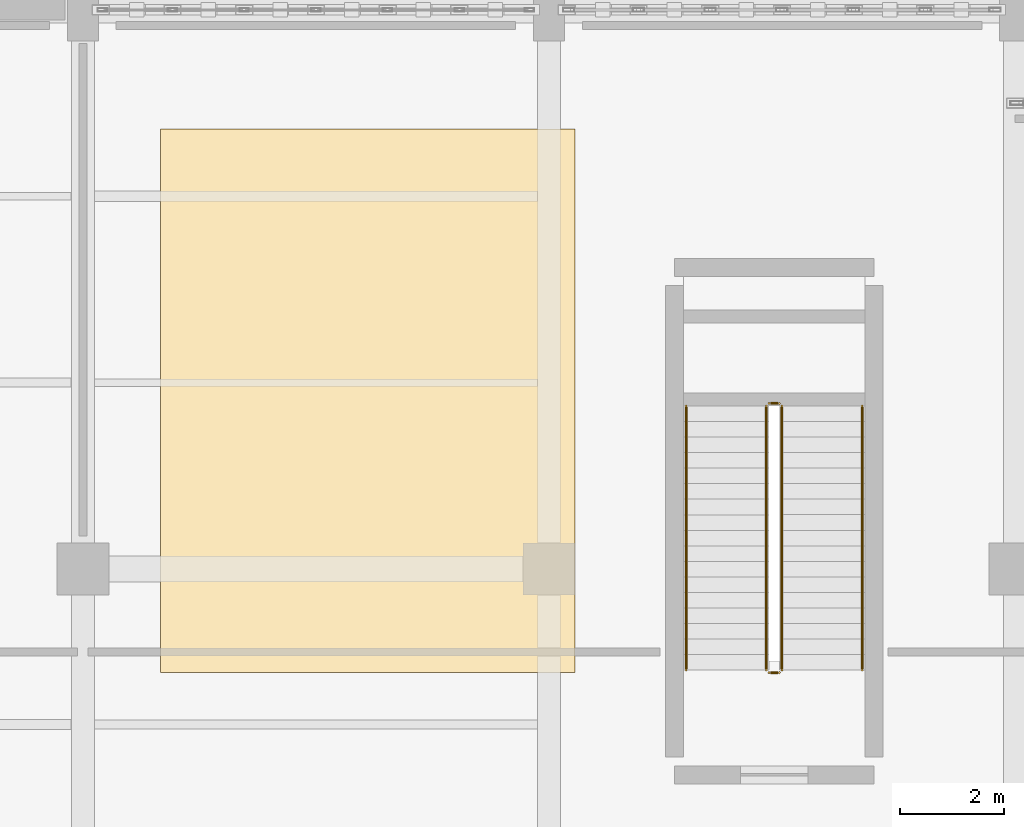
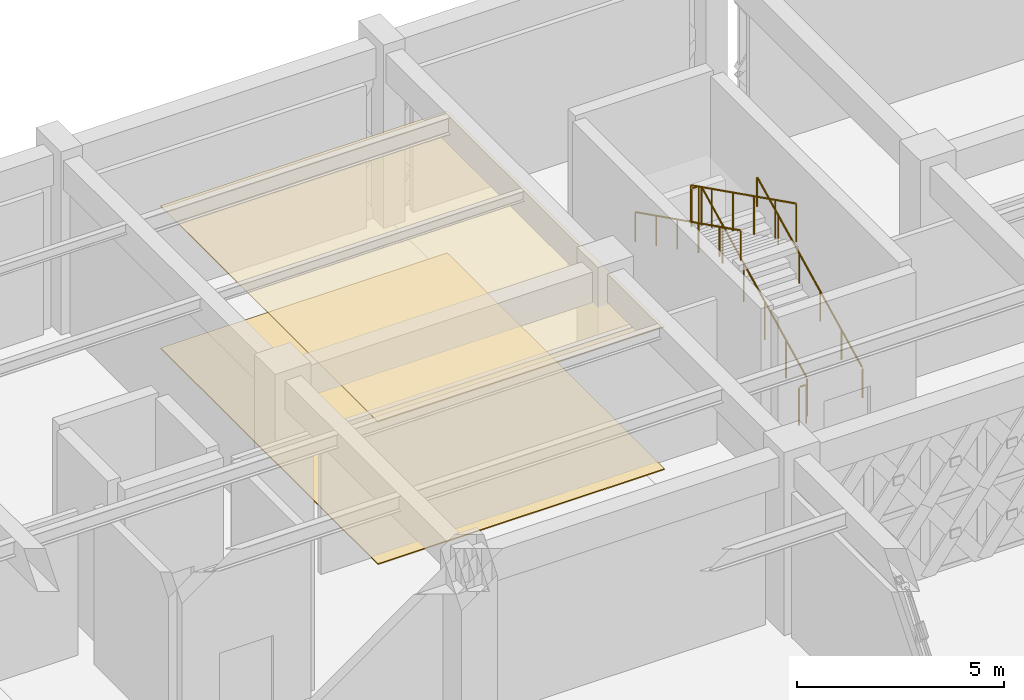
# One storey, part 135 of 140: 6 railings, 2 coverings.
"""IFC4 building model written with IfcOpenShell, lengths in metres."""

from ifc_helpers import new_model, si_unit, direction, frame, origin, origin_2d, place, context, subcontext, project, spatial, polyline, circle, outline, extrude, material, layer, layer_set, type_object, element, save


model = new_model("IFC4")

# Units and contexts
model_context = context("Model", 3, precision=1e-05, world=origin(), true_north=direction((0.0, 1.0)))
body_context = subcontext(model_context, "Body", "Model", "MODEL_VIEW")
ifc_project = project(units=[si_unit("LENGTHUNIT", "METRE"), si_unit("AREAUNIT", "SQUARE_METRE"), si_unit("VOLUMEUNIT", "CUBIC_METRE"), si_unit("PLANEANGLEUNIT", "RADIAN"), si_unit("MASSUNIT", "GRAM", prefix="KILO")], contexts=[model_context])

# Site, building, storey
site_placement = place(None, origin())
site = spatial("IfcSite", under=ifc_project, at=site_placement, CompositionType="ELEMENT")
building_placement = place(site_placement, origin())
building = spatial("IfcBuilding", under=site, at=building_placement, Name="Haizhuo Lancet Aquarium", CompositionType="ELEMENT")
storey_placement = place(building_placement, origin())
storey = spatial("IfcBuildingStorey", under=building, at=storey_placement, Name="L00", CompositionType="ELEMENT", Elevation=0.0)

# Coverings
ifc_material_1 = material(Name="Acoustic Mineral Fibre Board")
ifc_layer_1 = layer(ifc_material_1, 0.02490234375)
ifc_layer_set_1 = layer_set([ifc_layer_1], Name="Acoustic Mineral Fibre Board")
covering_type_1 = type_object("IfcCoveringType", Name="COV-CLG-ACU", PredefinedType="CEILING", material=ifc_layer_set_1)
covering_1_placement = place(storey_placement, frame((0.0, 0.0, 4.195068359375)))
element("IfcCovering", 1, at=covering_1_placement, inside=storey, type_object=covering_type_1, Name="L00 V5 acoustic suspended ceiling 4", PredefinedType="CEILING", context=body_context, shape_type="SweptSolid", body=[
    extrude(outline(polyline([(1.5, 43.0), (9.5, 43.0), (9.5, 53.5), (1.5, 53.5), (1.5, 43.0)])), origin(), (0.0, 0.0, 1.0), 0.02490234375),
])
ifc_material_2 = material(Name="Shandong Grey Limestone Ashlar", Category="masonry")
ifc_layer_2 = layer(ifc_material_2, 0.030029296875)
ifc_layer_set_2 = layer_set([ifc_layer_2], Name="Shandong Grey Limestone Ashlar")
covering_type_2 = type_object("IfcCoveringType", Name="COV-FLR-STN", PredefinedType="FLOORING", material=ifc_layer_set_2)
covering_2_placement = place(storey_placement, origin())
element("IfcCovering", 2, at=covering_2_placement, inside=storey, type_object=covering_type_2, Name="L00 V5 limestone floor finish 4", PredefinedType="FLOORING", context=body_context, shape_type="SweptSolid", body=[
    extrude(outline(polyline([(1.5, 43.0), (9.5, 43.0), (9.5, 53.5), (1.5, 53.5), (1.5, 43.0)])), origin(), (0.0, 0.0, 1.0), 0.030029296875),
])

# Railings
ifc_material_3 = material(Name="Steel S355", Category="steel")
railing_type_1 = type_object("IfcRailingType", Name="RL-GRD-1150", PredefinedType="GUARDRAIL", material=ifc_material_3)
railing_1_placement = place(storey_placement, frame((13.5, 43.050048828125, 0.14990234375)))
element("IfcRailing", 3, at=railing_1_placement, inside=storey, type_object=railing_type_1, Name="L00 ST-08 stair guard 1", PredefinedType="GUARDRAIL", context=body_context, shape_type="SweptSolid", body=[
    extrude(circle(Radius=0.02392578125, at=origin_2d()), frame((0.0, 0.02685546875, 1.13916015625), z_axis=(0.0, 0.894418627299, 0.447230722492), x_axis=(-1.0, 0.0, 0.0)), (0.0, 0.0, 1.0), 5.641845703125),
    extrude(circle(Radius=0.02099609375, at=origin_2d()), origin(), (0.0, 0.0, 1.0), 1.097900390625),
    extrude(circle(Radius=0.02099609375, at=origin_2d()), frame((0.0, 1.02001953125, 0.510009765625)), (0.0, 0.0, 1.0), 1.097900390625),
    extrude(circle(Radius=0.02099609375, at=origin_2d()), frame((0.0, 2.0400390625, 1.02001953125)), (0.0, 0.0, 1.0), 1.097900390625),
    extrude(circle(Radius=0.02099609375, at=origin_2d()), frame((0.0, 3.059814453125, 1.530029296875)), (0.0, 0.0, 1.0), 1.097900390625),
    extrude(circle(Radius=0.02099609375, at=origin_2d()), frame((0.0, 4.079833984375, 2.0400390625)), (0.0, 0.0, 1.0), 1.097900390625),
    extrude(circle(Radius=0.02099609375, at=origin_2d()), frame((0.0, 5.099853515625, 2.550048828125)), (0.0, 0.0, 1.0), 1.097900390625),
])
railing_2_placement = place(storey_placement, frame((13.449951171875, 48.199951171875, 2.699951171875)))
element("IfcRailing", 4, at=railing_2_placement, inside=storey, type_object=railing_type_1, Name="L00 ST-08 stair guard 2", PredefinedType="GUARDRAIL", context=body_context, shape_type="SweptSolid", body=[
    extrude(circle(Radius=0.02392578125, at=origin_2d()), frame((-0.030029296875, 0.0, 1.1259765625), z_axis=(-1.0, 0.0, 0.0), x_axis=(0.0, -1.0, 0.0)), (0.0, 0.0, 1.0), 0.139892578125),
    extrude(circle(Radius=0.02099609375, at=origin_2d()), origin(), (0.0, 0.0, 1.0), 1.097900390625),
    extrude(circle(Radius=0.02099609375, at=origin_2d()), frame((-0.199951171875, 0.0, 0.0)), (0.0, 0.0, 1.0), 1.097900390625),
])
railing_3_placement = place(storey_placement, frame((13.199951171875, 48.14990234375, 2.85009765625)))
element("IfcRailing", 5, at=railing_3_placement, inside=storey, type_object=railing_type_1, Name="L00 ST-08 stair guard 3", PredefinedType="GUARDRAIL", context=body_context, shape_type="SweptSolid", body=[
    extrude(circle(Radius=0.02392578125, at=origin_2d()), frame((0.0, -0.02685546875, 1.13916015625), z_axis=(0.0, -0.894435754537, 0.447196468016), x_axis=(1.0, 0.0, 0.0)), (0.0, 0.0, 1.0), 5.641845703125),
    extrude(circle(Radius=0.02099609375, at=origin_2d()), origin(), (0.0, 0.0, 1.0), 1.097900390625),
    extrude(circle(Radius=0.02099609375, at=origin_2d()), frame((0.0, -1.02001953125, 0.510009765625)), (0.0, 0.0, 1.0), 1.097900390625),
    extrude(circle(Radius=0.02099609375, at=origin_2d()), frame((0.0, -2.0400390625, 1.02001953125)), (0.0, 0.0, 1.0), 1.097900390625),
    extrude(circle(Radius=0.02099609375, at=origin_2d()), frame((0.0, -3.059814453125, 1.52978515625)), (0.0, 0.0, 1.0), 1.097900390625),
    extrude(circle(Radius=0.02099609375, at=origin_2d()), frame((0.0, -4.079833984375, 2.039794921875)), (0.0, 0.0, 1.0), 1.097900390625),
    extrude(circle(Radius=0.02099609375, at=origin_2d()), frame((0.0, -5.099853515625, 2.5498046875)), (0.0, 0.0, 1.0), 1.097900390625),
])
railing_4_placement = place(storey_placement, frame((13.449951171875, 43.0, 0.0)))
element("IfcRailing", 6, at=railing_4_placement, inside=storey, type_object=railing_type_1, Name="L00 ST-08 stair guard 4", PredefinedType="GUARDRAIL", context=body_context, shape_type="SweptSolid", body=[
    extrude(circle(Radius=0.02392578125, at=origin_2d()), frame((-0.030029296875, 0.0, 1.1259765625), z_axis=(-1.0, 0.0, 0.0), x_axis=(0.0, -1.0, 0.0)), (0.0, 0.0, 1.0), 0.139892578125),
    extrude(circle(Radius=0.02099609375, at=origin_2d()), origin(), (0.0, 0.0, 1.0), 1.097900390625),
    extrude(circle(Radius=0.02099609375, at=origin_2d()), frame((-0.199951171875, 0.0, 0.0)), (0.0, 0.0, 1.0), 1.097900390625),
])
railing_type_2 = type_object("IfcRailingType", Name="RL-HDR-900", PredefinedType="HANDRAIL", material=ifc_material_3)
railing_5_placement = place(storey_placement, frame((15.050048828125, 43.050048828125, 0.14990234375)))
element("IfcRailing", 7, at=railing_5_placement, inside=storey, type_object=railing_type_2, Name="L00 ST-08 pitch handrail 1", PredefinedType="HANDRAIL", context=body_context, shape_type="SweptSolid", body=[
    extrude(circle(Radius=0.02392578125, at=origin_2d()), frame((0.0, 0.02685546875, 0.88916015625), z_axis=(0.0, 0.894418627299, 0.447230722492), x_axis=(-1.0, 0.0, 0.0)), (0.0, 0.0, 1.0), 5.641845703125),
    extrude(circle(Radius=0.02099609375, at=origin_2d()), origin(), (0.0, 0.0, 1.0), 0.847900390625),
    extrude(circle(Radius=0.02099609375, at=origin_2d()), frame((0.0, 1.02001953125, 0.510009765625)), (0.0, 0.0, 1.0), 0.847900390625),
    extrude(circle(Radius=0.02099609375, at=origin_2d()), frame((0.0, 2.0400390625, 1.02001953125)), (0.0, 0.0, 1.0), 0.847900390625),
    extrude(circle(Radius=0.02099609375, at=origin_2d()), frame((0.0, 3.059814453125, 1.530029296875)), (0.0, 0.0, 1.0), 0.847900390625),
    extrude(circle(Radius=0.02099609375, at=origin_2d()), frame((0.0, 4.079833984375, 2.0400390625)), (0.0, 0.0, 1.0), 0.847900390625),
    extrude(circle(Radius=0.02099609375, at=origin_2d()), frame((0.0, 5.099853515625, 2.550048828125)), (0.0, 0.0, 1.0), 0.847900390625),
])
railing_6_placement = place(storey_placement, frame((11.64990234375, 48.14990234375, 2.85009765625)))
element("IfcRailing", 8, at=railing_6_placement, inside=storey, type_object=railing_type_2, Name="L00 ST-08 pitch handrail 2", PredefinedType="HANDRAIL", context=body_context, shape_type="SweptSolid", body=[
    extrude(circle(Radius=0.02392578125, at=origin_2d()), frame((0.0, -0.02685546875, 0.88916015625), z_axis=(0.0, -0.894435754537, 0.447196468016), x_axis=(1.0, 0.0, 0.0)), (0.0, 0.0, 1.0), 5.641845703125),
    extrude(circle(Radius=0.02099609375, at=origin_2d()), origin(), (0.0, 0.0, 1.0), 0.847900390625),
    extrude(circle(Radius=0.02099609375, at=origin_2d()), frame((0.0, -1.02001953125, 0.510009765625)), (0.0, 0.0, 1.0), 0.847900390625),
    extrude(circle(Radius=0.02099609375, at=origin_2d()), frame((0.0, -2.0400390625, 1.02001953125)), (0.0, 0.0, 1.0), 0.847900390625),
    extrude(circle(Radius=0.02099609375, at=origin_2d()), frame((0.0, -3.059814453125, 1.52978515625)), (0.0, 0.0, 1.0), 0.847900390625),
    extrude(circle(Radius=0.02099609375, at=origin_2d()), frame((0.0, -4.079833984375, 2.039794921875)), (0.0, 0.0, 1.0), 0.847900390625),
    extrude(circle(Radius=0.02099609375, at=origin_2d()), frame((0.0, -5.099853515625, 2.5498046875)), (0.0, 0.0, 1.0), 0.847900390625),
])

save(model, "model.ifc")
